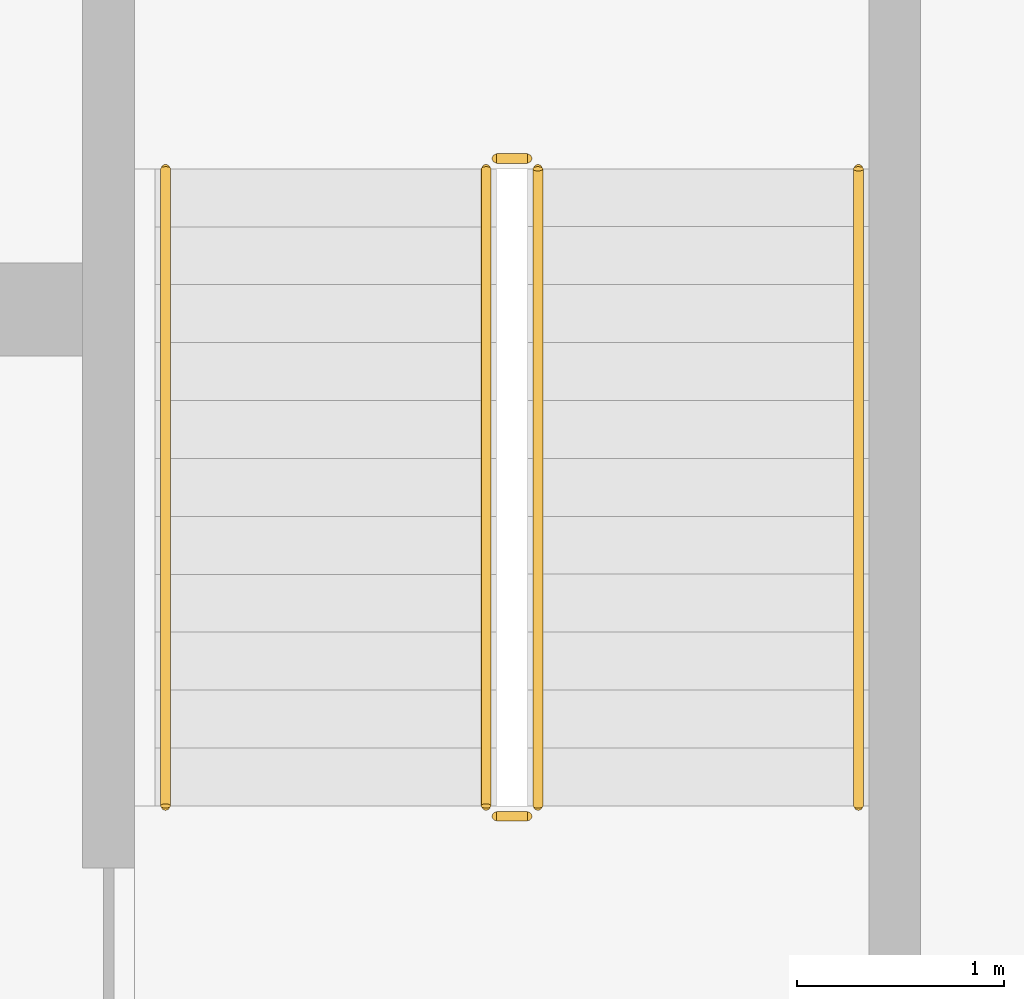
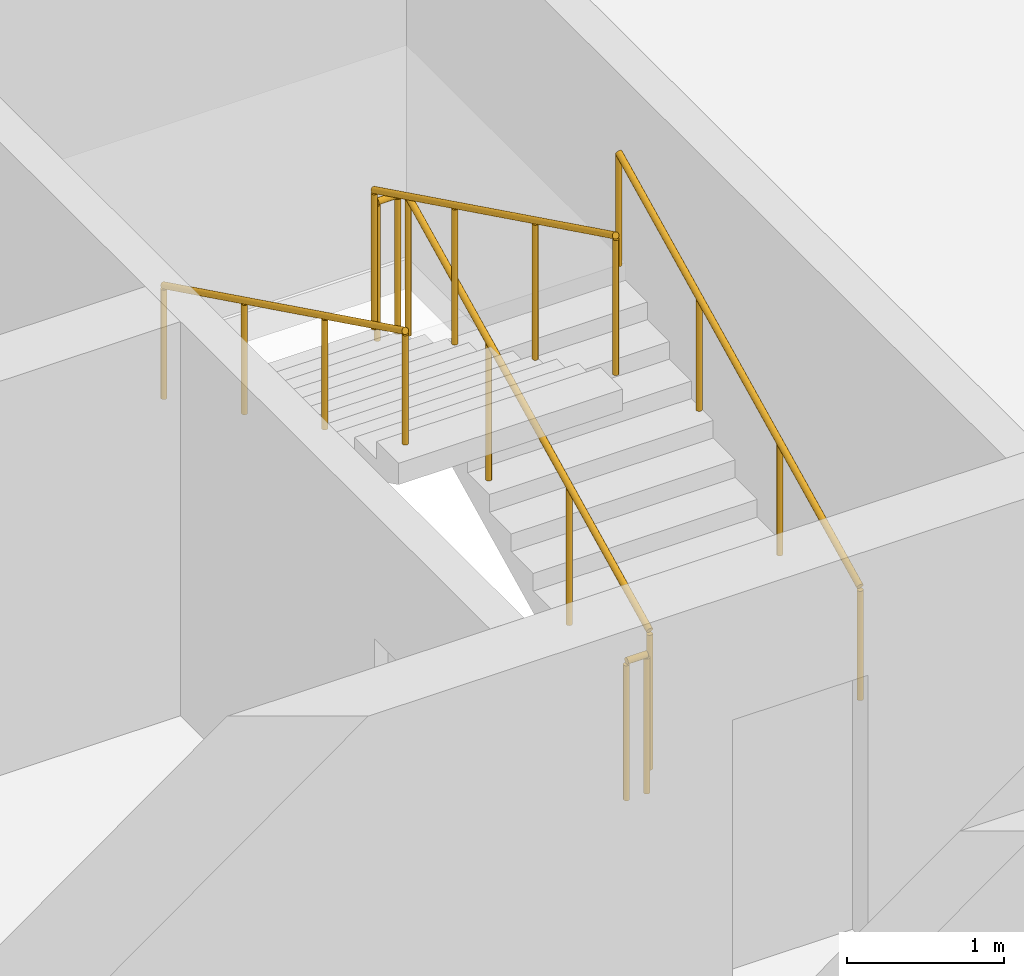
# One storey, part 17 of 33: 6 railings.
"""IFC4 building model written with IfcOpenShell, lengths in metres."""

from ifc_helpers import new_model, si_unit, direction, frame, origin, origin_2d, place, context, subcontext, project, spatial, circle, extrude, material, type_object, element, save


model = new_model("IFC4")

# Units and contexts
model_context = context("Model", 3, precision=1e-05, world=origin(), true_north=direction((0.0, 1.0)))
body_context = subcontext(model_context, "Body", "Model", "MODEL_VIEW")
ifc_project = project(units=[si_unit("LENGTHUNIT", "METRE"), si_unit("AREAUNIT", "SQUARE_METRE"), si_unit("VOLUMEUNIT", "CUBIC_METRE"), si_unit("PLANEANGLEUNIT", "RADIAN"), si_unit("MASSUNIT", "GRAM", prefix="KILO")], contexts=[model_context])

# Site, building, storey
site_placement = place(None, origin())
site = spatial("IfcSite", under=ifc_project, at=site_placement, CompositionType="ELEMENT")
building_placement = place(site_placement, origin())
building = spatial("IfcBuilding", under=site, at=building_placement, Name="Poui Terraces", CompositionType="ELEMENT")
storey_placement = place(building_placement, frame((0.0, 0.0, 132.300048828125)))
storey = spatial("IfcBuildingStorey", under=building, at=storey_placement, Name="L36", CompositionType="ELEMENT", Elevation=132.300048828125)

# Railings
ifc_material_1 = material(Name="Galvanised steel balustrade", Category="steel")
railing_type_1 = type_object("IfcRailingType", Name="STAIR GUARD 1100", PredefinedType="GUARDRAIL", material=ifc_material_1)
railing_1_placement = place(storey_placement, frame((70.27490234375, 16.60009765625, 0.137451171875)))
element("IfcRailing", 1, at=railing_1_placement, inside=storey, type_object=railing_type_1, Name="L36 ST-CE stair guard 1", PredefinedType="GUARDRAIL", context=body_context, shape_type="SweptSolid", body=[
    extrude(circle(Radius=0.02392578125, at=origin_2d()), frame((0.0, 0.0, 1.076171875), z_axis=(0.0, 0.897606190399, 0.440798283751), x_axis=(-1.0, 0.0, 0.0)), (0.0, 0.0, 1.0), 3.43115234375),
    extrude(circle(Radius=0.02099609375, at=origin_2d()), origin(), (0.0, 0.0, 1.0), 1.052001953125),
    extrude(circle(Radius=0.02099609375, at=origin_2d()), frame((0.0, 1.026611328125, 0.504150390625)), (0.0, 0.0, 1.0), 1.052001953125),
    extrude(circle(Radius=0.02099609375, at=origin_2d()), frame((0.0, 2.05322265625, 1.00830078125)), (0.0, 0.0, 1.0), 1.052001953125),
    extrude(circle(Radius=0.02099609375, at=origin_2d()), frame((0.0, 3.079833984375, 1.512451171875)), (0.0, 0.0, 1.0), 1.052001953125),
])
railing_2_placement = place(storey_placement, frame((70.22509765625, 19.72998046875, 1.64990234375)))
element("IfcRailing", 2, at=railing_2_placement, inside=storey, type_object=railing_type_1, Name="L36 ST-CE stair guard 2", PredefinedType="GUARDRAIL", context=body_context, shape_type="SweptSolid", body=[
    extrude(circle(Radius=0.02392578125, at=origin_2d()), frame((0.0, 0.0, 1.076171875), z_axis=(-1.0, 0.0, 0.0), x_axis=(0.0, -1.0, 0.0)), (0.0, 0.0, 1.0), 0.150146484375),
    extrude(circle(Radius=0.02099609375, at=origin_2d()), origin(), (0.0, 0.0, 1.0), 1.052001953125),
    extrude(circle(Radius=0.02099609375, at=origin_2d()), frame((-0.150146484375, 0.0, 0.0)), (0.0, 0.0, 1.0), 1.052001953125),
])
railing_3_placement = place(storey_placement, frame((70.02490234375, 19.679931640625, 1.787353515625)))
element("IfcRailing", 3, at=railing_3_placement, inside=storey, type_object=railing_type_1, Name="L36 ST-CE stair guard 3", PredefinedType="GUARDRAIL", context=body_context, shape_type="SweptSolid", body=[
    extrude(circle(Radius=0.02392578125, at=origin_2d()), frame((0.0, 0.0, 1.076171875), z_axis=(0.0, -0.897578036475, 0.440855609512), x_axis=(1.0, 0.0, 0.0)), (0.0, 0.0, 1.0), 3.43115234375),
    extrude(circle(Radius=0.02099609375, at=origin_2d()), origin(), (0.0, 0.0, 1.0), 1.052001953125),
    extrude(circle(Radius=0.02099609375, at=origin_2d()), frame((0.0, -1.026611328125, 0.504150390625)), (0.0, 0.0, 1.0), 1.052001953125),
    extrude(circle(Radius=0.02099609375, at=origin_2d()), frame((0.0, -2.05322265625, 1.008544921875)), (0.0, 0.0, 1.0), 1.052001953125),
    extrude(circle(Radius=0.02099609375, at=origin_2d()), frame((0.0, -3.079833984375, 1.5126953125)), (0.0, 0.0, 1.0), 1.052001953125),
])
railing_4_placement = place(storey_placement, frame((70.22509765625, 16.550048828125, 0.0)))
element("IfcRailing", 4, at=railing_4_placement, inside=storey, type_object=railing_type_1, Name="L36 ST-CE stair guard 4", PredefinedType="GUARDRAIL", context=body_context, shape_type="SweptSolid", body=[
    extrude(circle(Radius=0.02392578125, at=origin_2d()), frame((0.0, 0.0, 1.076171875), z_axis=(-1.0, 0.0, 0.0), x_axis=(0.0, -1.0, 0.0)), (0.0, 0.0, 1.0), 0.150146484375),
    extrude(circle(Radius=0.02099609375, at=origin_2d()), origin(), (0.0, 0.0, 1.0), 1.052001953125),
    extrude(circle(Radius=0.02099609375, at=origin_2d()), frame((-0.150146484375, 0.0, 0.0)), (0.0, 0.0, 1.0), 1.052001953125),
])
ifc_material_2 = material(Name="Stainless steel handrail", Category="steel")
railing_type_2 = type_object("IfcRailingType", Name="STAIR HANDRAIL 900", PredefinedType="HANDRAIL", material=ifc_material_2)
railing_5_placement = place(storey_placement, frame((71.824951171875, 16.60009765625, 0.137451171875)))
element("IfcRailing", 5, at=railing_5_placement, inside=storey, type_object=railing_type_2, Name="L36 ST-CE stair handrail 1", PredefinedType="HANDRAIL", context=body_context, shape_type="SweptSolid", body=[
    extrude(circle(Radius=0.02392578125, at=origin_2d()), frame((0.0, 0.0, 0.8759765625), z_axis=(0.0, 0.897606190399, 0.440798283751), x_axis=(-1.0, 0.0, 0.0)), (0.0, 0.0, 1.0), 3.43115234375),
    extrude(circle(Radius=0.02099609375, at=origin_2d()), origin(), (0.0, 0.0, 1.0), 0.851806640625),
    extrude(circle(Radius=0.02099609375, at=origin_2d()), frame((0.0, 1.026611328125, 0.504150390625)), (0.0, 0.0, 1.0), 0.851806640625),
    extrude(circle(Radius=0.02099609375, at=origin_2d()), frame((0.0, 2.05322265625, 1.00830078125)), (0.0, 0.0, 1.0), 0.851806640625),
    extrude(circle(Radius=0.02099609375, at=origin_2d()), frame((0.0, 3.079833984375, 1.512451171875)), (0.0, 0.0, 1.0), 0.851806640625),
])
railing_6_placement = place(storey_placement, frame((68.47509765625, 19.679931640625, 1.787353515625)))
element("IfcRailing", 6, at=railing_6_placement, inside=storey, type_object=railing_type_2, Name="L36 ST-CE stair handrail 2", PredefinedType="HANDRAIL", context=body_context, shape_type="SweptSolid", body=[
    extrude(circle(Radius=0.02392578125, at=origin_2d()), frame((0.0, 0.0, 0.8759765625), z_axis=(0.0, -0.897578036475, 0.440855609512), x_axis=(1.0, 0.0, 0.0)), (0.0, 0.0, 1.0), 3.43115234375),
    extrude(circle(Radius=0.02099609375, at=origin_2d()), origin(), (0.0, 0.0, 1.0), 0.851806640625),
    extrude(circle(Radius=0.02099609375, at=origin_2d()), frame((0.0, -1.026611328125, 0.504150390625)), (0.0, 0.0, 1.0), 0.851806640625),
    extrude(circle(Radius=0.02099609375, at=origin_2d()), frame((0.0, -2.05322265625, 1.008544921875)), (0.0, 0.0, 1.0), 0.851806640625),
    extrude(circle(Radius=0.02099609375, at=origin_2d()), frame((0.0, -3.079833984375, 1.5126953125)), (0.0, 0.0, 1.0), 0.851806640625),
])

save(model, "model.ifc")
